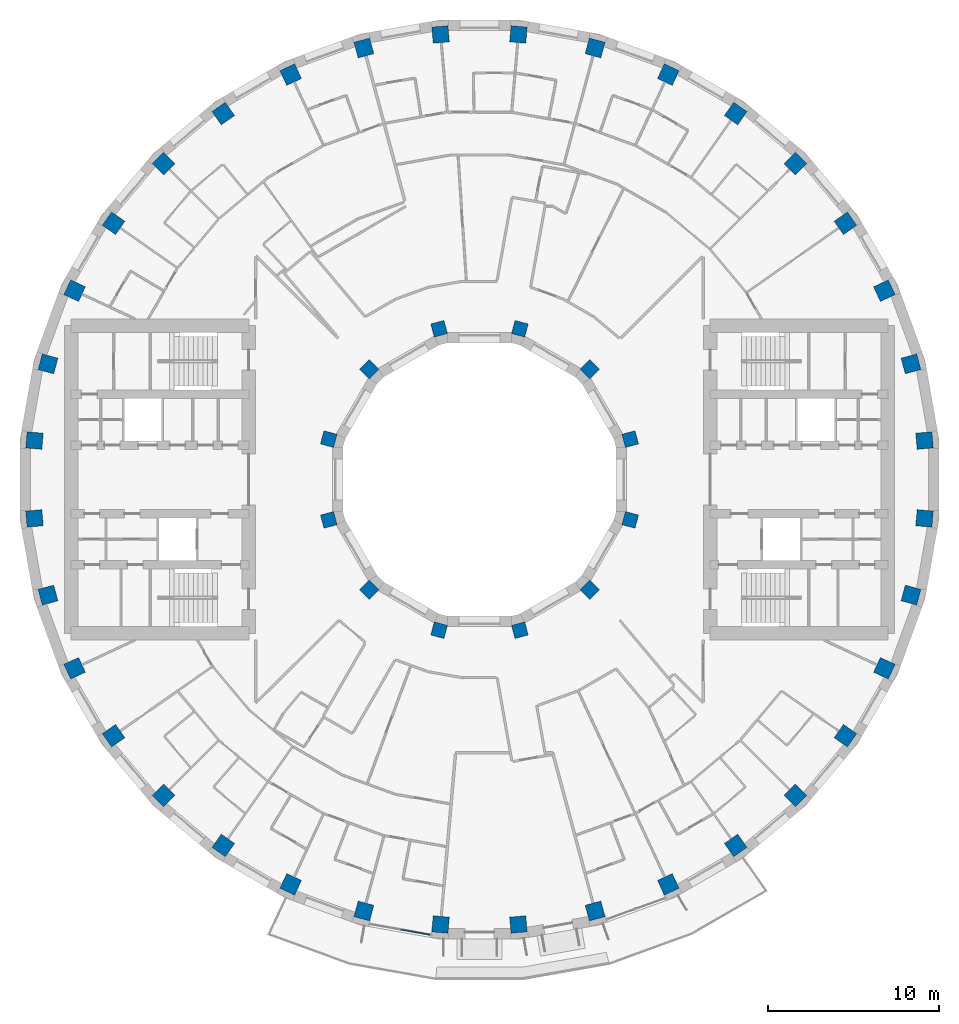
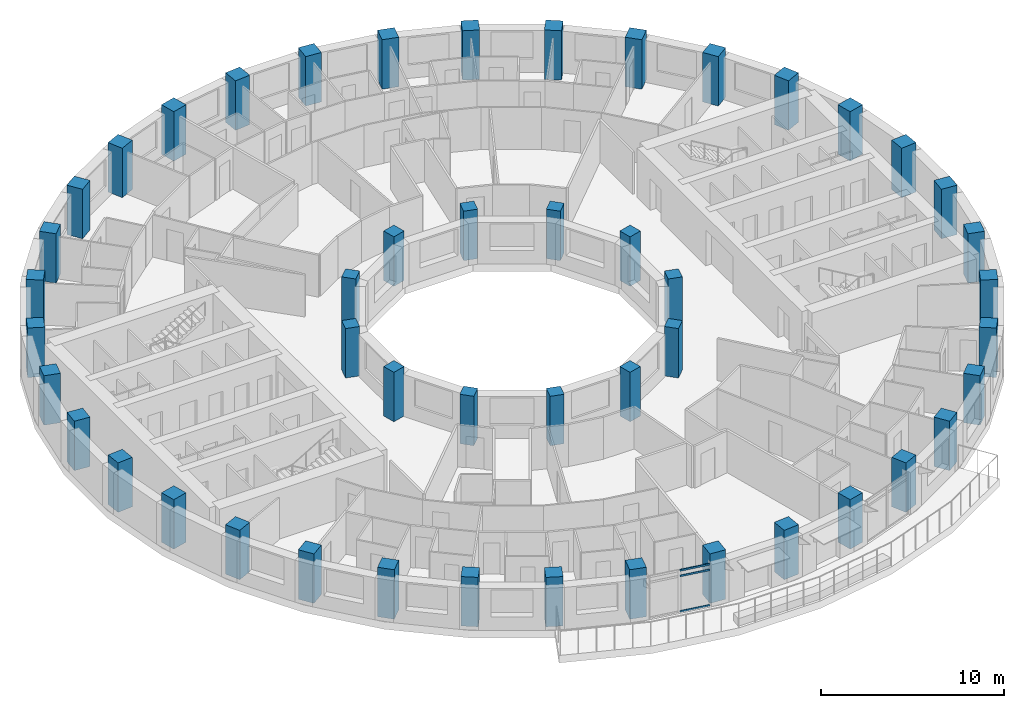
# One storey, part 1 of 16: 48 columns, 3 members, 1 element without a shape of its own.
"""IFC4 building model written with IfcOpenShell, lengths in metres."""

from ifc_helpers import new_model, si_unit, direction, frame, origin, origin_2d, place, context, subcontext, project, spatial, rectangle, extrude, material, layer, layer_set, material_profile, profile_set, type_object, element, aggregate, save


model = new_model("IFC4")

# Units and contexts
model_context = context("Model", 3, precision=1e-05, world=origin(), true_north=direction((0.0, 1.0)))
body_context = subcontext(model_context, "Body", "Model", "MODEL_VIEW")
ifc_project = project(units=[si_unit("LENGTHUNIT", "METRE"), si_unit("AREAUNIT", "SQUARE_METRE"), si_unit("VOLUMEUNIT", "CUBIC_METRE"), si_unit("PLANEANGLEUNIT", "RADIAN"), si_unit("MASSUNIT", "GRAM", prefix="KILO")], contexts=[model_context])

# Site, building, storey
site_placement = place(None, origin())
site = spatial("IfcSite", under=ifc_project, at=site_placement, CompositionType="ELEMENT")
building_placement = place(site_placement, origin())
building = spatial("IfcBuilding", under=site, at=building_placement, Name="Saqina Gate Tower", CompositionType="ELEMENT")
storey_placement = place(building_placement, frame((0.0, 0.0, 141.39990234375)))
storey = spatial("IfcBuildingStorey", under=building, at=storey_placement, Name="L40", CompositionType="ELEMENT", Elevation=141.39990234375)

# Columns
ifc_material_1 = material(Name="Concrete C70/85", Category="concrete")
ifc_material_profile_1 = material_profile(ifc_material_1, rectangle(XDim=0.800048828125, YDim=0.800048828125, at=origin_2d()), Name="RC 800x800")
ifc_profile_set_1 = profile_set([ifc_material_profile_1], Name="Concrete C70/85")
column_type_1 = type_object("IfcColumnType", Name="STR-COL-IN-B", PredefinedType="COLUMN", material=ifc_profile_set_1)
for number, where, z_axis, x_axis, name in (
    (1, (8.821044921875, 2.363525390625, 0.0), (0.0, 0.0, 1.0), (0.965925826289, 0.258819045103, 0.0), "L40-ICL01"),
    (2, (6.45751953125, 6.45751953125, 0.0), (0.0, 0.0, 1.0), (0.707106781187, 0.707106781187, 0.0), "L40-ICL02"),
    (3, (2.363525390625, 8.821044921875, 0.0), (0.0, 0.0, 1.0), (0.258819045103, 0.965925826289, 0.0), "L40-ICL03"),
    (4, (-2.363525390625, 8.821044921875, 0.0), (0.0, 0.0, 1.0), (-0.258819045103, 0.965925826289, 0.0), "L40-ICL04"),
    (5, (-6.45751953125, 6.45751953125, 0.0), (0.0, 0.0, 1.0), (-0.707106781187, 0.707106781187, 0.0), "L40-ICL05"),
    (6, (-8.821044921875, 2.363525390625, 0.0), (0.0, 0.0, 1.0), (-0.965925826289, 0.258819045103, 0.0), "L40-ICL06"),
    (7, (-8.821044921875, -2.363525390625, 0.0), (0.0, 0.0, 1.0), (-0.965925826289, -0.258819045103, 0.0), "L40-ICL07"),
    (8, (-6.45751953125, -6.45751953125, 0.0), (0.0, 0.0, 1.0), (-0.707106781187, -0.707106781187, 0.0), "L40-ICL08"),
    (9, (-2.363525390625, -8.821044921875, 0.0), (0.0, 0.0, 1.0), (-0.258819045103, -0.965925826289, 0.0), "L40-ICL09"),
    (10, (2.363525390625, -8.821044921875, 0.0), (0.0, 0.0, 1.0), (0.258819045103, -0.965925826289, 0.0), "L40-ICL10"),
    (11, (6.45751953125, -6.45751953125, 0.0), (0.0, 0.0, 1.0), (0.707106781187, -0.707106781187, 0.0), "L40-ICL11"),
    (12, (8.821044921875, -2.363525390625, 0.0), (0.0, 0.0, 1.0), (0.965925826289, -0.258819045103, 0.0), "L40-ICL12"),
):
    element("IfcColumn", number, at=place(storey_placement, frame(where, z_axis=z_axis, x_axis=x_axis)), inside=storey, type_object=column_type_1, Name=name, PredefinedType="COLUMN", context=body_context, shape_type="SweptSolid", body=[
        extrude(rectangle(XDim=0.800048828125, YDim=0.800048828125, at=origin_2d()), origin(), (0.0, 0.0, 1.0), 3.300048828125),
    ])
ifc_material_2 = material(Name="Concrete C70/85", Category="concrete")
ifc_material_profile_2 = material_profile(ifc_material_2, rectangle(XDim=0.949951171875, YDim=0.949951171875, at=origin_2d()), Name="RC 950x950")
ifc_profile_set_2 = profile_set([ifc_material_profile_2], Name="Concrete C70/85")
column_type_2 = type_object("IfcColumnType", Name="STR-COL-OUT-B", PredefinedType="COLUMN", material=ifc_profile_set_2)
for number, where, z_axis, x_axis, name in (
    (13, (26.050537109375, 2.279052734375, 0.0), (0.0, 0.0, 1.0), (0.996194698092, 0.087155742748, 0.0), "L40-COL01"),
    (14, (25.259033203125, 6.76806640625, 0.0), (0.0, 0.0, 1.0), (0.965925826289, 0.258819045103, 0.0), "L40-COL02"),
    (15, (23.699951171875, 11.051513671875, 0.0), (0.0, 0.0, 1.0), (0.906307787037, 0.422618261741, 0.0), "L40-COL03"),
    (16, (21.4208984375, 14.9990234375, 0.0), (0.0, 0.0, 1.0), (0.819152044289, 0.573576436351, 0.0), "L40-COL04"),
    (17, (18.49072265625, 18.49072265625, 0.0), (0.0, 0.0, 1.0), (0.707106781187, 0.707106781187, 0.0), "L40-COL05"),
    (18, (14.9990234375, 21.4208984375, 0.0), (0.0, 0.0, 1.0), (0.573576436351, 0.819152044289, 0.0), "L40-COL06"),
    (19, (11.051513671875, 23.699951171875, 0.0), (0.0, 0.0, 1.0), (0.422618261741, 0.906307787037, 0.0), "L40-COL07"),
    (20, (6.76806640625, 25.259033203125, 0.0), (0.0, 0.0, 1.0), (0.258819045103, 0.965925826289, 0.0), "L40-COL08"),
    (21, (2.279052734375, 26.050537109375, 0.0), (0.0, 0.0, 1.0), (0.087155742748, 0.996194698092, 0.0), "L40-COL09"),
    (22, (-2.279052734375, 26.050537109375, 0.0), (0.0, 0.0, 1.0), (-0.087155742748, 0.996194698092, 0.0), "L40-COL10"),
    (23, (-6.76806640625, 25.259033203125, 0.0), (0.0, 0.0, 1.0), (-0.258819045103, 0.965925826289, 0.0), "L40-COL11"),
    (24, (-11.051513671875, 23.699951171875, 0.0), (0.0, 0.0, 1.0), (-0.422618261741, 0.906307787037, 0.0), "L40-COL12"),
    (25, (-14.9990234375, 21.4208984375, 0.0), (0.0, 0.0, 1.0), (-0.573576436351, 0.819152044289, 0.0), "L40-COL13"),
    (26, (-18.49072265625, 18.49072265625, 0.0), (0.0, 0.0, 1.0), (-0.707106781187, 0.707106781187, 0.0), "L40-COL14"),
    (27, (-21.4208984375, 14.9990234375, 0.0), (0.0, 0.0, 1.0), (-0.819152044289, 0.573576436351, 0.0), "L40-COL15"),
    (28, (-23.699951171875, 11.051513671875, 0.0), (0.0, 0.0, 1.0), (-0.906307787037, 0.422618261741, 0.0), "L40-COL16"),
    (29, (-25.259033203125, 6.76806640625, 0.0), (0.0, 0.0, 1.0), (-0.965925826289, 0.258819045103, 0.0), "L40-COL17"),
    (30, (-26.050537109375, 2.279052734375, 0.0), (0.0, 0.0, 1.0), (-0.996194698092, 0.087155742748, 0.0), "L40-COL18"),
    (31, (-26.050537109375, -2.279052734375, 0.0), (0.0, 0.0, 1.0), (-0.996194698092, -0.087155742748, 0.0), "L40-COL19"),
    (32, (-25.259033203125, -6.76806640625, 0.0), (0.0, 0.0, 1.0), (-0.965925826289, -0.258819045103, 0.0), "L40-COL20"),
    (33, (-23.699951171875, -11.051513671875, 0.0), (0.0, 0.0, 1.0), (-0.906307787037, -0.422618261741, 0.0), "L40-COL21"),
    (34, (-21.4208984375, -14.9990234375, 0.0), (0.0, 0.0, 1.0), (-0.819152044289, -0.573576436351, 0.0), "L40-COL22"),
    (35, (-18.49072265625, -18.49072265625, 0.0), (0.0, 0.0, 1.0), (-0.707106781187, -0.707106781187, 0.0), "L40-COL23"),
    (36, (-14.9990234375, -21.4208984375, 0.0), (0.0, 0.0, 1.0), (-0.573576436351, -0.819152044289, 0.0), "L40-COL24"),
    (37, (-11.051513671875, -23.699951171875, 0.0), (0.0, 0.0, 1.0), (-0.422618261741, -0.906307787037, 0.0), "L40-COL25"),
    (38, (-6.76806640625, -25.259033203125, 0.0), (0.0, 0.0, 1.0), (-0.258819045103, -0.965925826289, 0.0), "L40-COL26"),
    (39, (-2.279052734375, -26.050537109375, 0.0), (0.0, 0.0, 1.0), (-0.087155742748, -0.996194698092, 0.0), "L40-COL27"),
    (40, (2.279052734375, -26.050537109375, 0.0), (0.0, 0.0, 1.0), (0.087155742748, -0.996194698092, 0.0), "L40-COL28"),
    (41, (6.76806640625, -25.259033203125, 0.0), (0.0, 0.0, 1.0), (0.258819045103, -0.965925826289, 0.0), "L40-COL29"),
    (42, (11.051513671875, -23.699951171875, 0.0), (0.0, 0.0, 1.0), (0.422618261741, -0.906307787037, 0.0), "L40-COL30"),
    (43, (14.9990234375, -21.4208984375, 0.0), (0.0, 0.0, 1.0), (0.573576436351, -0.819152044289, 0.0), "L40-COL31"),
    (44, (18.49072265625, -18.49072265625, 0.0), (0.0, 0.0, 1.0), (0.707106781187, -0.707106781187, 0.0), "L40-COL32"),
    (45, (21.4208984375, -14.9990234375, 0.0), (0.0, 0.0, 1.0), (0.819152044289, -0.573576436351, 0.0), "L40-COL33"),
    (46, (23.699951171875, -11.051513671875, 0.0), (0.0, 0.0, 1.0), (0.906307787037, -0.422618261741, 0.0), "L40-COL34"),
    (47, (25.259033203125, -6.76806640625, 0.0), (0.0, 0.0, 1.0), (0.965925826289, -0.258819045103, 0.0), "L40-COL35"),
    (48, (26.050537109375, -2.279052734375, 0.0), (0.0, 0.0, 1.0), (0.996194698092, -0.087155742748, 0.0), "L40-COL36"),
):
    element("IfcColumn", number, at=place(storey_placement, frame(where, z_axis=z_axis, x_axis=x_axis)), inside=storey, type_object=column_type_2, Name=name, PredefinedType="COLUMN", context=body_context, shape_type="SweptSolid", body=[
        extrude(rectangle(XDim=0.949951171875, YDim=0.949951171875, at=origin_2d()), origin(), (0.0, 0.0, 1.0), 3.300048828125),
    ])

# Curtain wall, members
ifc_material_3 = material(Name="Aluminium glazing", Category="aluminium")
ifc_layer = layer(ifc_material_3, 0.159912109375)
ifc_layer_set = layer_set([ifc_layer], Name="CWT-4")
curtain_wall_type = type_object("IfcCurtainWallType", Name="CWT-4", PredefinedType="NOTDEFINED", material=ifc_layer_set)
curtain_wall_placement = place(storey_placement, origin())
curtain_wall = element("IfcCurtainWall", 49, at=curtain_wall_placement, inside=storey, type_object=curtain_wall_type, Name="Terrace lounge glazing facet 26", PredefinedType="NOTDEFINED")
ifc_material_4 = material(Name="Aluminium", Category="aluminium")
ifc_material_profile_3 = material_profile(ifc_material_4, rectangle(XDim=0.06005859375, YDim=0.1201171875, at=origin_2d()), Name="Aluminium 60x120")
ifc_profile_set_3 = profile_set([ifc_material_profile_3], Name="Aluminium")
member_type = type_object("IfcMemberType", Name="CWT-4T", PredefinedType="USERDEFINED", material=ifc_profile_set_3)
member_1_placement = place(storey_placement, frame((-4.614990234375, -26.34619140625, 0.030029296875), z_axis=(0.98481331257, -0.173616644895, 0.0), x_axis=(0.173616644895, 0.98481331257, 0.0)))
member_1 = element("IfcMember", 50, at=member_1_placement, type_object=member_type, Name="CW4-26 transom 2.1", ObjectType="TRANSOM", PredefinedType="USERDEFINED", context=body_context, shape_type="SweptSolid", body=[
    extrude(rectangle(XDim=0.06005859375, YDim=0.1201171875, at=origin_2d()), origin(), (0.0, 0.0, 1.0), 1.73388671875),
])
member_2_placement = place(storey_placement, frame((-4.614990234375, -26.34619140625, 2.400146484375), z_axis=(0.98481331257, -0.173616644895, 0.0), x_axis=(0.173616644895, 0.98481331257, 0.0)))
member_2 = element("IfcMember", 51, at=member_2_placement, type_object=member_type, Name="CW4-26 transom 2.2", ObjectType="TRANSOM", PredefinedType="USERDEFINED", context=body_context, shape_type="SweptSolid", body=[
    extrude(rectangle(XDim=0.06005859375, YDim=0.1201171875, at=origin_2d()), origin(), (0.0, 0.0, 1.0), 1.73388671875),
])
member_3_placement = place(storey_placement, frame((-4.614990234375, -26.34619140625, 2.77001953125), z_axis=(0.98481331257, -0.173616644895, 0.0), x_axis=(0.173616644895, 0.98481331257, 0.0)))
member_3 = element("IfcMember", 52, at=member_3_placement, type_object=member_type, Name="CW4-26 transom 2.3", ObjectType="TRANSOM", PredefinedType="USERDEFINED", context=body_context, shape_type="SweptSolid", body=[
    extrude(rectangle(XDim=0.06005859375, YDim=0.1201171875, at=origin_2d()), origin(), (0.0, 0.0, 1.0), 1.73388671875),
])
aggregate(curtain_wall, [member_1, member_2, member_3])

save(model, "model.ifc")
